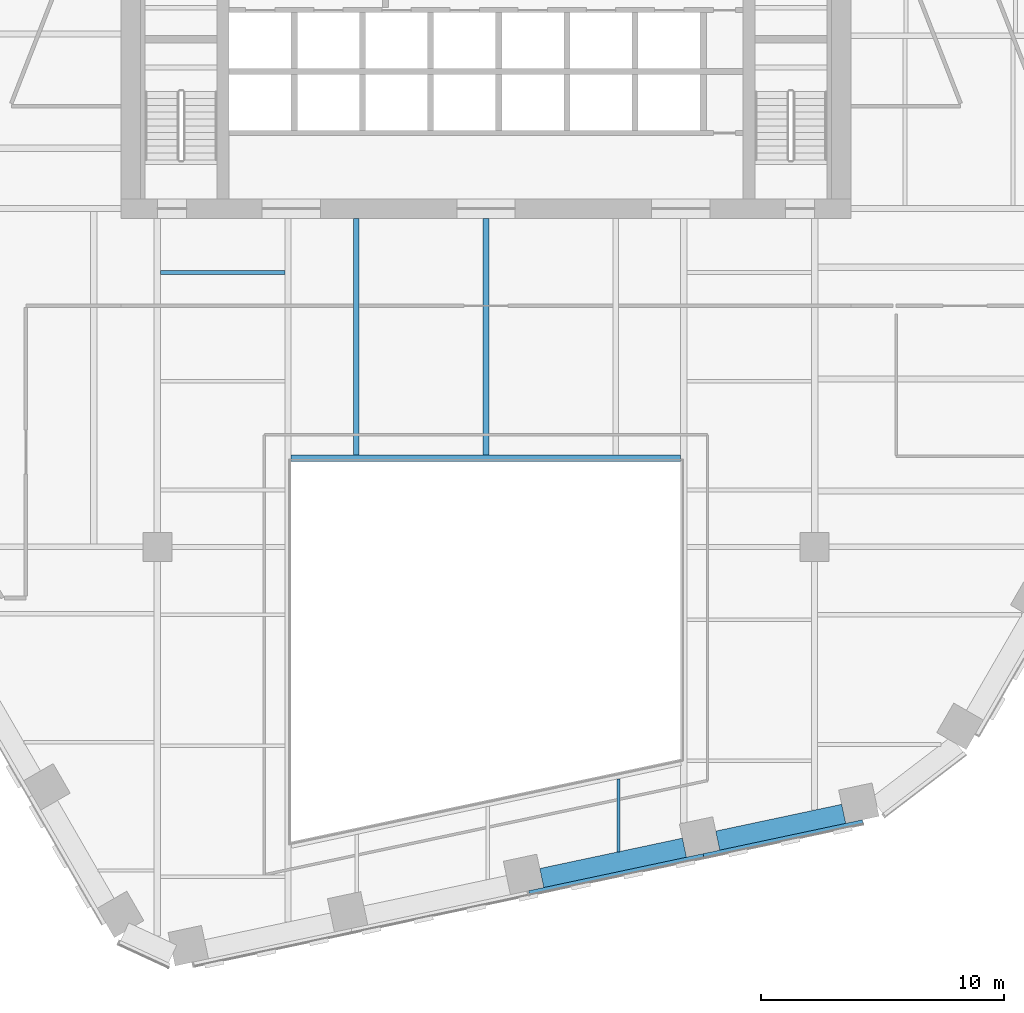
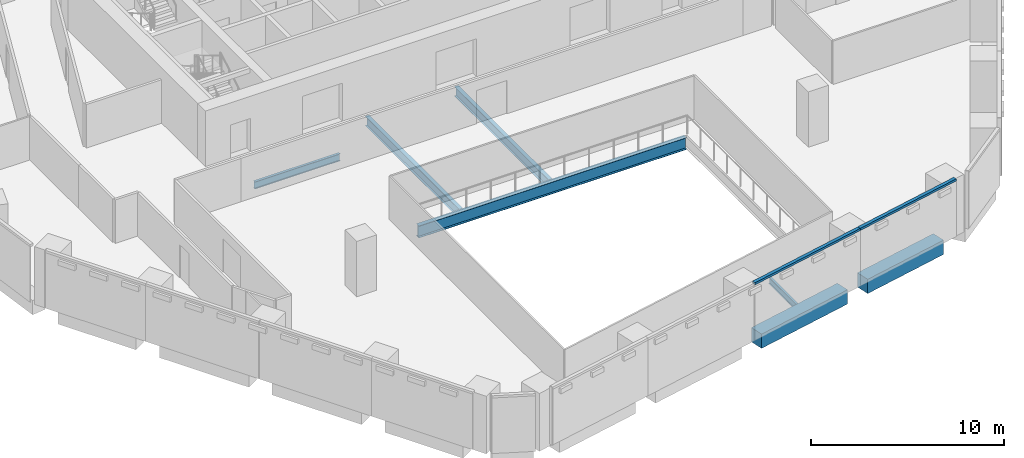
# One storey, part 4 of 17: 7 beams, 2 members, 1 element without a shape of its own.
"""IFC4 building model written with IfcOpenShell, lengths in metres."""

from ifc_helpers import new_model, si_unit, direction, frame, origin, origin_2d, place, context, subcontext, project, spatial, rectangle, i_section, extrude, material, layer, layer_set, material_profile, profile_set, type_object, element, aggregate, save


model = new_model("IFC4")

# Units and contexts
model_context = context("Model", 3, precision=1e-05, world=origin(), true_north=direction((0.0, 1.0)))
body_context = subcontext(model_context, "Body", "Model", "MODEL_VIEW")
ifc_project = project(units=[si_unit("LENGTHUNIT", "METRE"), si_unit("AREAUNIT", "SQUARE_METRE"), si_unit("VOLUMEUNIT", "CUBIC_METRE"), si_unit("PLANEANGLEUNIT", "RADIAN"), si_unit("MASSUNIT", "GRAM", prefix="KILO")], contexts=[model_context])

# Site, building, storey
site_placement = place(None, origin())
site = spatial("IfcSite", under=ifc_project, at=site_placement, CompositionType="ELEMENT")
building_placement = place(site_placement, origin())
building = spatial("IfcBuilding", under=site, at=building_placement, Name="Isthmus Gate Tower", CompositionType="ELEMENT")
storey_placement = place(building_placement, frame((0.0, 0.0, 126.14990234375)))
storey = spatial("IfcBuildingStorey", under=building, at=storey_placement, Name="L30", CompositionType="ELEMENT", Elevation=126.14990234375)

# Curtain wall, members
ifc_material_1 = material(Name="Aluminium, pale champagne anodised", Category="aluminium")
ifc_layer = layer(ifc_material_1, 0.199951171875)
ifc_layer_set = layer_set([ifc_layer], Name="CW-1 UNITISED CURTAIN WALL 200 DEEP")
curtain_wall_type = type_object("IfcCurtainWallType", Name="CW-1 UNITISED CURTAIN WALL 200 DEEP", PredefinedType="NOTDEFINED", material=ifc_layer_set)
curtain_wall_placement = place(storey_placement, origin())
curtain_wall = element("IfcCurtainWall", 1, at=curtain_wall_placement, inside=storey, type_object=curtain_wall_type, Name="CW-1 S L30", PredefinedType="NOTDEFINED")
ifc_material_2 = material(Name="Aluminium, pale champagne anodised", Category="aluminium")
ifc_material_profile_1 = material_profile(ifc_material_2, rectangle(XDim=0.199951171875, YDim=0.139892578125, at=origin_2d()), Name="200x140")
ifc_profile_set_1 = profile_set([ifc_material_profile_1], Name="Aluminium, pale champagne anodised")
member_type = type_object("IfcMemberType", Name="CW-1 TRANSOM 200 X 140", PredefinedType="USERDEFINED", material=ifc_profile_set_1)
member_1_placement = place(storey_placement, frame((1.76953125, -27.72607421875, 3.580078125), z_axis=(0.978146152746, 0.207918502948, 0.0), x_axis=(-0.207918502948, 0.978146152746, 0.0)))
member_1 = element("IfcMember", 2, at=member_1_placement, type_object=member_type, Name="CW-1 transom", ObjectType="TRANSOM", PredefinedType="USERDEFINED", context=body_context, shape_type="SweptSolid", body=[
    extrude(rectangle(XDim=0.199951171875, YDim=0.139892578125, at=origin_2d()), origin(), (0.0, 0.0, 1.0), 7.33056640625),
])
member_2_placement = place(storey_placement, frame((8.93994140625, -26.201904296875, 3.580078125), z_axis=(0.978147628551, 0.207911559946, 0.0), x_axis=(-0.207911559946, 0.978147628551, 0.0)))
member_2 = element("IfcMember", 3, at=member_2_placement, type_object=member_type, Name="CW-1 transom", ObjectType="TRANSOM", PredefinedType="USERDEFINED", context=body_context, shape_type="SweptSolid", body=[
    extrude(rectangle(XDim=0.199951171875, YDim=0.139892578125, at=origin_2d()), origin(), (0.0, 0.0, 1.0), 6.69091796875),
])
aggregate(curtain_wall, [member_1, member_2])

# Beams
ifc_material_3 = material(Name="Concrete f'c 60 MPa", Category="concrete")
ifc_material_profile_2 = material_profile(ifc_material_3, rectangle(XDim=0.800048828125, YDim=0.89990234375, at=origin_2d()), Name="RC 800X900")
ifc_profile_set_2 = profile_set([ifc_material_profile_2], Name="Concrete f'c 60 MPa")
beam_type_1 = type_object("IfcBeamType", Name="RC SPANDREL 800 X 900", PredefinedType="SPANDREL", material=ifc_profile_set_2)
beam_1_placement = place(storey_placement, frame((14.696044921875, -24.46728515625, -0.449951171875), z_axis=(-0.978145479826, -0.207921668653, 0.0), x_axis=(0.207921668653, -0.978145479826, 0.0)))
element("IfcBeam", 4, at=beam_1_placement, inside=storey, type_object=beam_type_1, Name="str-spandrel-L30-11", PredefinedType="SPANDREL", context=body_context, shape_type="SweptSolid", body=[
    extrude(rectangle(XDim=0.800048828125, YDim=0.89990234375, at=origin_2d()), origin(), (0.0, 0.0, 1.0), 5.291015625),
])
beam_2_placement = place(storey_placement, frame((8.1513671875, -25.8583984375, -0.449951171875), z_axis=(-0.978145798872, -0.20792016773, 0.0), x_axis=(0.20792016773, -0.978145798872, 0.0)))
element("IfcBeam", 5, at=beam_2_placement, inside=storey, type_object=beam_type_1, Name="str-spandrel-L30-12", PredefinedType="SPANDREL", context=body_context, shape_type="SweptSolid", body=[
    extrude(rectangle(XDim=0.800048828125, YDim=0.89990234375, at=origin_2d()), origin(), (0.0, 0.0, 1.0), 5.99072265625),
])
ifc_material_4 = material(Name="Structural steel ASTM A992 Gr 50", Category="steel")
ifc_material_profile_3 = material_profile(ifc_material_4, i_section(OverallWidth=0.1396484375, OverallDepth=0.4033203125, WebThickness=0.00634765625, FlangeThickness=0.010986328125, at=origin_2d()), Name="W16X31")
ifc_profile_set_3 = profile_set([ifc_material_profile_3], Name="Structural steel ASTM A992 Gr 50")
beam_type_2 = type_object("IfcBeamType", Name="STEEL FLOOR BEAM W16X31", PredefinedType="JOIST", material=ifc_profile_set_3)
beam_3_placement = place(storey_placement, frame((5.443115234375, -26.025146484375, -0.3515625), z_axis=(0.0, 1.0, 0.0), x_axis=(-1.0, 0.0, 0.0)))
element("IfcBeam", 6, at=beam_3_placement, inside=storey, type_object=beam_type_2, Name="str-beam-L30-07-02", PredefinedType="JOIST", context=body_context, shape_type="SweptSolid", body=[
    extrude(i_section(OverallWidth=0.1396484375, OverallDepth=0.4033203125, WebThickness=0.00634765625, FlangeThickness=0.010986328125, at=origin_2d()), origin(), (0.0, 0.0, 1.0), 2.998779296875),
])
ifc_material_5 = material(Name="Structural steel ASTM A992 Gr 50", Category="steel")
ifc_material_profile_4 = material_profile(ifc_material_5, i_section(OverallWidth=0.15234375, OverallDepth=0.45068359375, WebThickness=0.0078125, FlangeThickness=0.010986328125, at=origin_2d()), Name="W18X35")
ifc_profile_set_4 = profile_set([ifc_material_profile_4], Name="Structural steel ASTM A992 Gr 50")
beam_type_3 = type_object("IfcBeamType", Name="STEEL FLOOR BEAM W18X35", PredefinedType="JOIST", material=ifc_profile_set_4)
beam_4_placement = place(storey_placement, frame((-13.3681640625, -2.232421875, -0.375244140625), z_axis=(1.0, 0.0, 0.0), x_axis=(0.0, 1.0, 0.0)))
element("IfcBeam", 7, at=beam_4_placement, inside=storey, type_object=beam_type_3, Name="str-beam-L30-04-02", PredefinedType="JOIST", context=body_context, shape_type="SweptSolid", body=[
    extrude(i_section(OverallWidth=0.15234375, OverallDepth=0.45068359375, WebThickness=0.0078125, FlangeThickness=0.010986328125, at=origin_2d()), origin(), (0.0, 0.0, 1.0), 5.1015625),
])
ifc_material_6 = material(Name="Structural steel ASTM A992 Gr 50", Category="steel")
ifc_material_profile_5 = material_profile(ifc_material_6, i_section(OverallWidth=0.228515625, OverallDepth=0.603271484375, WebThickness=0.010986328125, FlangeThickness=0.014404296875, at=origin_2d()), Name="W24X68")
ifc_profile_set_5 = profile_set([ifc_material_profile_5], Name="Structural steel ASTM A992 Gr 50")
beam_type_4 = type_object("IfcBeamType", Name="STEEL FLOOR BEAM W24X68", PredefinedType="JOIST", material=ifc_profile_set_5)
for number, where, z_axis, x_axis, name in (
    (8, (-5.333251953125, -9.7333984375, -0.451416015625), (0.0, 1.0, 0.0), (-1.0, 0.0, 0.0), "str-beam-L30-06-00"),
    (9, (0.0, -9.7333984375, -0.451416015625), (0.0, 1.0, 0.0), (-1.0, 0.0, 0.0), "str-beam-L30-06-01"),
):
    element("IfcBeam", number, at=place(storey_placement, frame(where, z_axis=z_axis, x_axis=x_axis)), inside=storey, type_object=beam_type_4, Name=name, PredefinedType="JOIST", context=body_context, shape_type="SweptSolid", body=[
        extrude(i_section(OverallWidth=0.228515625, OverallDepth=0.603271484375, WebThickness=0.010986328125, FlangeThickness=0.014404296875, at=origin_2d()), origin(), (0.0, 0.0, 1.0), 9.7333984375),
    ])
ifc_material_7 = material(Name="Structural steel ASTM A992 Gr 50", Category="steel")
ifc_material_profile_6 = material_profile(ifc_material_7, i_section(OverallWidth=0.2666015625, OverallDepth=0.7587890625, WebThickness=0.014404296875, FlangeThickness=0.01904296875, at=origin_2d()), Name="W30X108")
ifc_profile_set_6 = profile_set([ifc_material_profile_6], Name="Structural steel ASTM A992 Gr 50")
beam_type_5 = type_object("IfcBeamType", Name="STEEL TRIMMER W30X108", PredefinedType="BEAM", material=ifc_profile_set_6)
beam_5_placement = place(storey_placement, frame((8.0, -9.86669921875, -0.529296875), z_axis=(-1.0, 0.0, 0.0), x_axis=(0.0, -1.0, 0.0)))
element("IfcBeam", 10, at=beam_5_placement, inside=storey, type_object=beam_type_5, Name="str-trimmer-L30-04", PredefinedType="BEAM", context=body_context, shape_type="SweptSolid", body=[
    extrude(i_section(OverallWidth=0.2666015625, OverallDepth=0.7587890625, WebThickness=0.014404296875, FlangeThickness=0.01904296875, at=origin_2d()), origin(), (0.0, 0.0, 1.0), 16.0),
])

save(model, "model.ifc")
